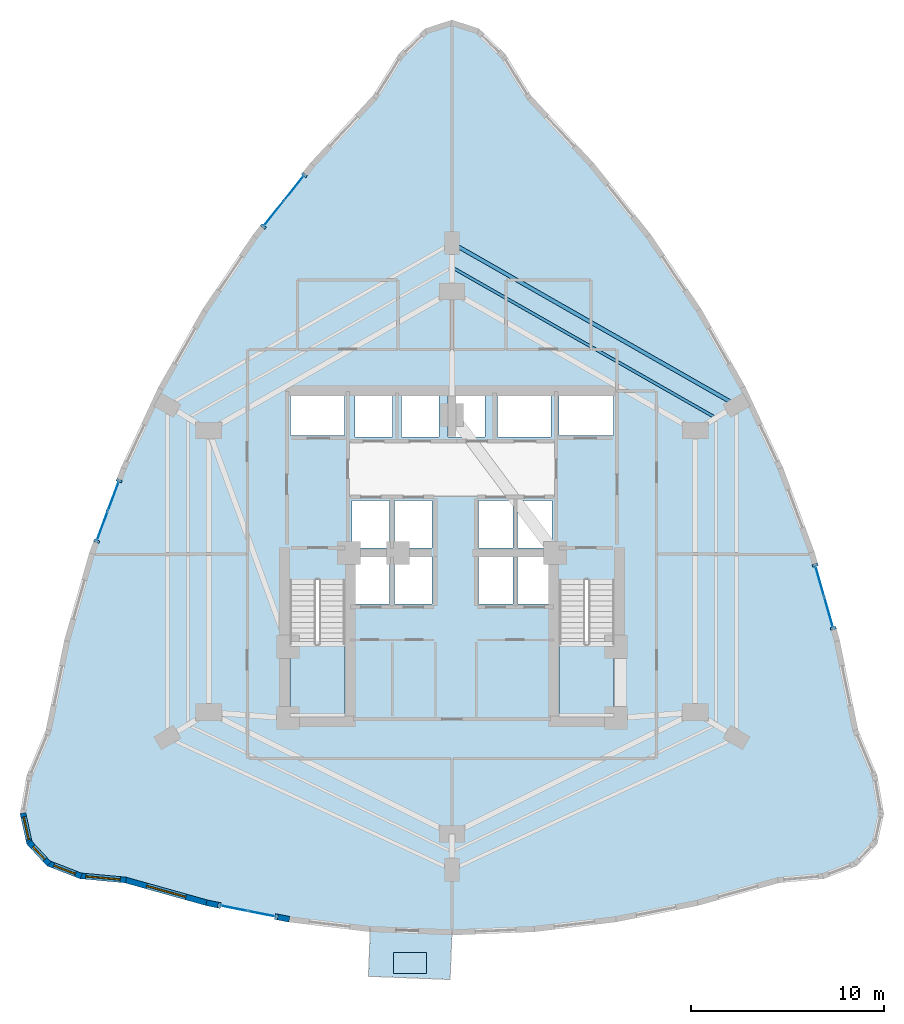
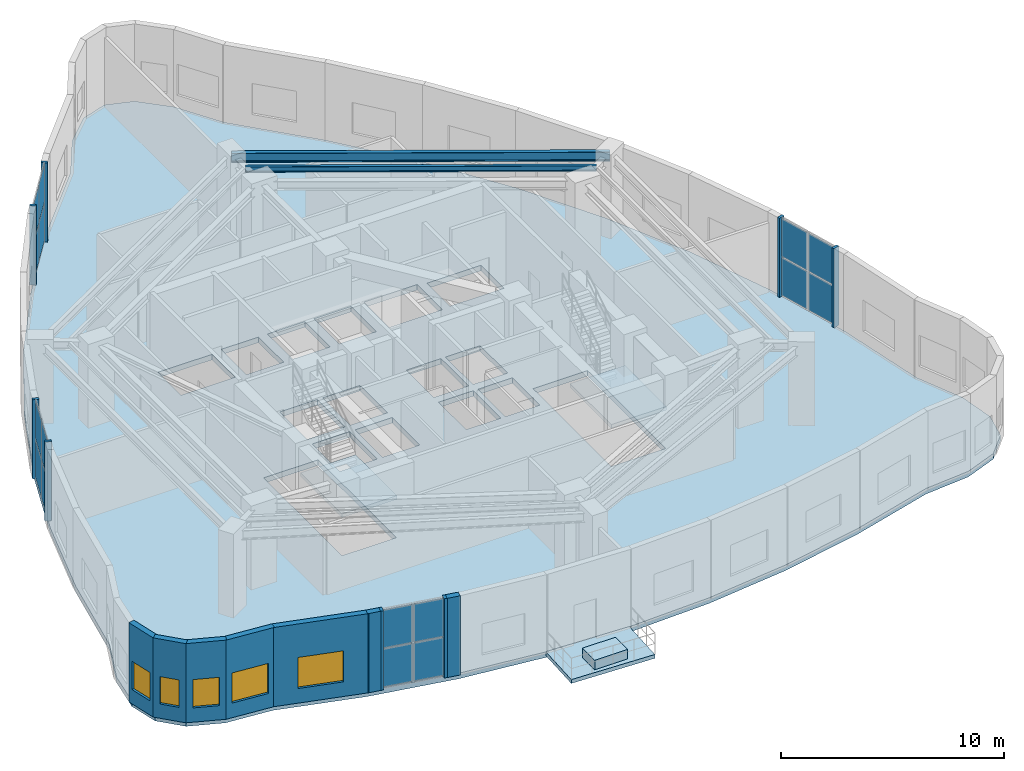
# One storey, part 12 of 17: 24 plates, 7 walls, 5 slabs, 5 windows, 2 beams, 5 openings, 6 elements without a shape of their own.
"""IFC4 building model written with IfcOpenShell, lengths in metres."""

from ifc_helpers import new_model, si_unit, direction, frame, frame_2d, origin, origin_2d, place, context, subcontext, project, spatial, polyline, rectangle, i_section, outline, extrude, material, layer, layer_set, material_profile, profile_set, type_object, element, fill, aggregate, save


model = new_model("IFC4")

# Units and contexts
model_context = context("Model", 3, precision=1e-05, world=origin(), true_north=direction((0.0, 1.0)))
body_context = subcontext(model_context, "Body", "Model", "MODEL_VIEW")
ifc_project = project(units=[si_unit("LENGTHUNIT", "METRE"), si_unit("AREAUNIT", "SQUARE_METRE"), si_unit("VOLUMEUNIT", "CUBIC_METRE"), si_unit("PLANEANGLEUNIT", "RADIAN"), si_unit("MASSUNIT", "GRAM", prefix="KILO")], contexts=[model_context])

# Site, building, storey
site_placement = place(None, origin())
site = spatial("IfcSite", under=ifc_project, at=site_placement, CompositionType="ELEMENT")
building_placement = place(site_placement, origin())
building = spatial("IfcBuilding", under=site, at=building_placement, Name="Miruveldt Soraemaru", CompositionType="ELEMENT")
storey_placement = place(building_placement, frame((0.0, 0.0, 95.800048828125)))
storey = spatial("IfcBuildingStorey", under=building, at=storey_placement, Name="L26", CompositionType="ELEMENT", Elevation=95.800048828125)

# Beams
ifc_material_1 = material(Name="Steel SM355 (355 MPa)", Category="steel")
ifc_material_profile_1 = material_profile(ifc_material_1, i_section(OverallWidth=0.14990234375, OverallDepth=0.300048828125, WebThickness=0.006591796875, FlangeThickness=0.009033203125, FilletRadius=0.012939453125, at=origin_2d()), Name="Steel SM355 (355 MPa)", Category="steel")
ifc_profile_set_1 = profile_set([ifc_material_profile_1], Name="Steel SM355 (355 MPa)")
beam_type_1 = type_object("IfcBeamType", Name="BM-ST-H300", PredefinedType="JOIST", material=ifc_profile_set_1)
beam_1_placement = place(storey_placement, frame((44.0, 58.85302734375, 4.18505859375), z_axis=(0.868539859756, -0.495619321672, 0.0), x_axis=(0.495619321672, 0.868539859756, 0.0)))
element("IfcBeam", 1, at=beam_1_placement, inside=storey, type_object=beam_type_1, Name="L26 Outer Bay Floor Joist 1", PredefinedType="JOIST", context=body_context, shape_type="SweptSolid", body=[
    extrude(i_section(OverallWidth=0.14990234375, OverallDepth=0.300048828125, WebThickness=0.006591796875, FlangeThickness=0.009033203125, FilletRadius=0.012939453125, at=origin_2d()), origin(), (0.0, 0.0, 1.0), 15.739013671875),
])
ifc_material_profile_2 = material_profile(ifc_material_1, i_section(OverallWidth=0.199951171875, OverallDepth=0.5, WebThickness=0.010009765625, FlangeThickness=0.01611328125, FilletRadius=0.02001953125, at=origin_2d()), Name="Steel SM355 (355 MPa)", Category="steel")
ifc_profile_set_2 = profile_set([ifc_material_profile_2], Name="Steel SM355 (355 MPa)")
beam_type_2 = type_object("IfcBeamType", Name="BM-ST-H500", PredefinedType="SPANDREL", material=ifc_profile_set_2)
beam_2_placement = place(storey_placement, frame((44.0, 60.10595703125, 4.0849609375), z_axis=(0.86880048516, -0.495162313778, 0.0), x_axis=(0.495162313778, 0.86880048516, 0.0)))
element("IfcBeam", 2, at=beam_2_placement, inside=storey, type_object=beam_type_2, Name="L26 Zone-2 Spandrel Beam 1", PredefinedType="SPANDREL", context=body_context, shape_type="SweptSolid", body=[
    extrude(i_section(OverallWidth=0.199951171875, OverallDepth=0.5, WebThickness=0.010009765625, FlangeThickness=0.01611328125, FilletRadius=0.02001953125, at=origin_2d()), origin(), (0.0, 0.0, 1.0), 16.9658203125),
])

# Curtain wall, plates
ifc_material_2 = material(Name="Anodised aluminium EN AW-6063 T6", Category="aluminium")
ifc_layer_1 = layer(ifc_material_2, 0.179931640625, Name="Anodised aluminium EN AW-6063 T6", Category="aluminium")
ifc_layer_set_1 = layer_set([ifc_layer_1], Name="Anodised aluminium EN AW-6063 T6")
curtain_wall_type = type_object("IfcCurtainWallType", Name="CW-SYS-4", PredefinedType="USERDEFINED", material=ifc_layer_set_1)
curtain_wall_1_placement = place(storey_placement, origin())
curtain_wall_1 = element("IfcCurtainWall", 3, at=curtain_wall_1_placement, inside=storey, type_object=curtain_wall_type, Name="L26 Curtain Wall Bay 8", ObjectType="UNITISED GLAZING", PredefinedType="USERDEFINED")
ifc_material_3 = material(Name="Triple low-e insulated glazing", Category="glass")
ifc_layer_2 = layer(ifc_material_3, 0.028076171875, Name="Triple low-e insulated glazing", Category="glass")
ifc_layer_set_2 = layer_set([ifc_layer_2], Name="Triple low-e insulated glazing")
plate_type_1 = type_object("IfcPlateType", Name="CWP-4", PredefinedType="CURTAIN_PANEL", material=ifc_layer_set_2)
plate_1_placement = place(storey_placement, frame((35.810546875, 62.95361328125, 0.06494140625), z_axis=(0.0, 0.0, 1.0), x_axis=(-0.62360597311, -0.781738824865, 0.0)))
plate_1 = element("IfcPlate", 4, at=plate_1_placement, type_object=plate_type_1, Name="CW-4 panel 1.1", PredefinedType="CURTAIN_PANEL", context=body_context, shape_type="SweptSolid", body=[
    extrude(rectangle(XDim=1.60546875, YDim=0.028076171875, at=origin_2d()), origin(), (0.0, 0.0, 1.0), 2.070068359375),
])
plate_2_placement = place(storey_placement, frame((35.810546875, 62.95361328125, 2.19970703125), z_axis=(0.0, 0.0, 1.0), x_axis=(-0.62360597311, -0.781738824865, 0.0)))
plate_2 = element("IfcPlate", 5, at=plate_2_placement, type_object=plate_type_1, Name="CW-4 panel 1.2", PredefinedType="CURTAIN_PANEL", context=body_context, shape_type="SweptSolid", body=[
    extrude(rectangle(XDim=1.60546875, YDim=0.028076171875, at=origin_2d()), origin(), (0.0, 0.0, 1.0), 2.070068359375),
])
plate_3_placement = place(storey_placement, frame((34.768798828125, 61.647705078125, 0.06494140625), z_axis=(0.0, 0.0, 1.0), x_axis=(-0.62360597311, -0.781738824865, 0.0)))
plate_3 = element("IfcPlate", 6, at=plate_3_placement, type_object=plate_type_1, Name="CW-4 panel 2.1", PredefinedType="CURTAIN_PANEL", context=body_context, shape_type="SweptSolid", body=[
    extrude(rectangle(XDim=1.60546875, YDim=0.028076171875, at=origin_2d()), origin(), (0.0, 0.0, 1.0), 2.070068359375),
])
plate_4_placement = place(storey_placement, frame((34.768798828125, 61.647705078125, 2.19970703125), z_axis=(0.0, 0.0, 1.0), x_axis=(-0.62360597311, -0.781738824865, 0.0)))
plate_4 = element("IfcPlate", 7, at=plate_4_placement, type_object=plate_type_1, Name="CW-4 panel 2.2", PredefinedType="CURTAIN_PANEL", context=body_context, shape_type="SweptSolid", body=[
    extrude(rectangle(XDim=1.60546875, YDim=0.028076171875, at=origin_2d()), origin(), (0.0, 0.0, 1.0), 2.070068359375),
])
aggregate(curtain_wall_1, [plate_1, plate_2, plate_3, plate_4])

curtain_wall_2_placement = place(storey_placement, origin())
curtain_wall_2 = element("IfcCurtainWall", 8, at=curtain_wall_2_placement, inside=storey, type_object=curtain_wall_type, Name="L26 Curtain Wall Bay 12", ObjectType="UNITISED GLAZING", PredefinedType="USERDEFINED")
plate_5_placement = place(storey_placement, frame((26.4619140625, 47.0009765625, 0.06494140625), z_axis=(0.0, 0.0, 1.0), x_axis=(-0.349011308919, -0.937118512381, 0.0)))
plate_5 = element("IfcPlate", 9, at=plate_5_placement, type_object=plate_type_1, Name="CW-4 panel 1.1", PredefinedType="CURTAIN_PANEL", context=body_context, shape_type="SweptSolid", body=[
    extrude(rectangle(XDim=1.576416015625, YDim=0.028076171875, at=origin_2d()), origin(), (0.0, 0.0, 1.0), 2.070068359375),
])
plate_6_placement = place(storey_placement, frame((26.4619140625, 47.0009765625, 2.19970703125), z_axis=(0.0, 0.0, 1.0), x_axis=(-0.349011308919, -0.937118512381, 0.0)))
plate_6 = element("IfcPlate", 10, at=plate_6_placement, type_object=plate_type_1, Name="CW-4 panel 1.2", PredefinedType="CURTAIN_PANEL", context=body_context, shape_type="SweptSolid", body=[
    extrude(rectangle(XDim=1.576416015625, YDim=0.028076171875, at=origin_2d()), origin(), (0.0, 0.0, 1.0), 2.070068359375),
])
plate_7_placement = place(storey_placement, frame((25.888916015625, 45.462646484375, 0.06494140625), z_axis=(0.0, 0.0, 1.0), x_axis=(-0.349011308919, -0.937118512381, 0.0)))
plate_7 = element("IfcPlate", 11, at=plate_7_placement, type_object=plate_type_1, Name="CW-4 panel 2.1", PredefinedType="CURTAIN_PANEL", context=body_context, shape_type="SweptSolid", body=[
    extrude(rectangle(XDim=1.576416015625, YDim=0.028076171875, at=origin_2d()), origin(), (0.0, 0.0, 1.0), 2.070068359375),
])
plate_8_placement = place(storey_placement, frame((25.888916015625, 45.462646484375, 2.19970703125), z_axis=(0.0, 0.0, 1.0), x_axis=(-0.349011308919, -0.937118512381, 0.0)))
plate_8 = element("IfcPlate", 12, at=plate_8_placement, type_object=plate_type_1, Name="CW-4 panel 2.2", PredefinedType="CURTAIN_PANEL", context=body_context, shape_type="SweptSolid", body=[
    extrude(rectangle(XDim=1.576416015625, YDim=0.028076171875, at=origin_2d()), origin(), (0.0, 0.0, 1.0), 2.070068359375),
])
aggregate(curtain_wall_2, [plate_5, plate_6, plate_7, plate_8])

curtain_wall_3_placement = place(storey_placement, origin())
curtain_wall_3 = element("IfcCurtainWall", 13, at=curtain_wall_3_placement, inside=storey, type_object=curtain_wall_type, Name="L26 Curtain Wall Bay 22", ObjectType="UNITISED GLAZING", PredefinedType="USERDEFINED")
plate_9_placement = place(storey_placement, frame((32.705322265625, 25.652099609375, 0.06494140625), z_axis=(0.0, 0.0, 1.0), x_axis=(0.980580675691, -0.196116135138, 0.0)))
plate_9 = element("IfcPlate", 14, at=plate_9_placement, type_object=plate_type_1, Name="CW-4 panel 1.1", PredefinedType="CURTAIN_PANEL", context=body_context, shape_type="SweptSolid", body=[
    extrude(rectangle(XDim=1.408935546875, YDim=0.028076171875, at=origin_2d()), origin(), (0.0, 0.0, 1.0), 2.070068359375),
])
plate_10_placement = place(storey_placement, frame((32.705322265625, 25.652099609375, 2.19970703125), z_axis=(0.0, 0.0, 1.0), x_axis=(0.980580675691, -0.196116135138, 0.0)))
plate_10 = element("IfcPlate", 15, at=plate_10_placement, type_object=plate_type_1, Name="CW-4 panel 1.2", PredefinedType="CURTAIN_PANEL", context=body_context, shape_type="SweptSolid", body=[
    extrude(rectangle(XDim=1.408935546875, YDim=0.028076171875, at=origin_2d()), origin(), (0.0, 0.0, 1.0), 2.070068359375),
])
plate_11_placement = place(storey_placement, frame((34.150634765625, 25.363037109375, 0.06494140625), z_axis=(0.0, 0.0, 1.0), x_axis=(0.980580675691, -0.196116135138, 0.0)))
plate_11 = element("IfcPlate", 16, at=plate_11_placement, type_object=plate_type_1, Name="CW-4 panel 2.1", PredefinedType="CURTAIN_PANEL", context=body_context, shape_type="SweptSolid", body=[
    extrude(rectangle(XDim=1.408935546875, YDim=0.028076171875, at=origin_2d()), origin(), (0.0, 0.0, 1.0), 2.070068359375),
])
plate_12_placement = place(storey_placement, frame((34.150634765625, 25.363037109375, 2.19970703125), z_axis=(0.0, 0.0, 1.0), x_axis=(0.980580675691, -0.196116135138, 0.0)))
plate_12 = element("IfcPlate", 17, at=plate_12_placement, type_object=plate_type_1, Name="CW-4 panel 2.2", PredefinedType="CURTAIN_PANEL", context=body_context, shape_type="SweptSolid", body=[
    extrude(rectangle(XDim=1.408935546875, YDim=0.028076171875, at=origin_2d()), origin(), (0.0, 0.0, 1.0), 2.070068359375),
])
aggregate(curtain_wall_3, [plate_9, plate_10, plate_11, plate_12])

curtain_wall_4_placement = place(storey_placement, origin())
curtain_wall_4 = element("IfcCurtainWall", 18, at=curtain_wall_4_placement, inside=storey, type_object=curtain_wall_type, Name="L26 Curtain Wall Bay 36", ObjectType="UNITISED GLAZING", PredefinedType="USERDEFINED")
plate_13_placement = place(storey_placement, frame((63.512451171875, 40.988525390625, 0.06494140625), z_axis=(0.0, 0.0, 1.0), x_axis=(-0.274984802694, 0.961448572877, 0.0)))
plate_13 = element("IfcPlate", 19, at=plate_13_placement, type_object=plate_type_1, Name="CW-4 panel 1.1", PredefinedType="CURTAIN_PANEL", context=body_context, shape_type="SweptSolid", body=[
    extrude(rectangle(XDim=1.60546875, YDim=0.028076171875, at=origin_2d()), origin(), (0.0, 0.0, 1.0), 2.070068359375),
])
plate_14_placement = place(storey_placement, frame((63.512451171875, 40.988525390625, 2.19970703125), z_axis=(0.0, 0.0, 1.0), x_axis=(-0.274984802694, 0.961448572877, 0.0)))
plate_14 = element("IfcPlate", 20, at=plate_14_placement, type_object=plate_type_1, Name="CW-4 panel 1.2", PredefinedType="CURTAIN_PANEL", context=body_context, shape_type="SweptSolid", body=[
    extrude(rectangle(XDim=1.60546875, YDim=0.028076171875, at=origin_2d()), origin(), (0.0, 0.0, 1.0), 2.070068359375),
])
plate_15_placement = place(storey_placement, frame((63.052978515625, 42.5947265625, 0.06494140625), z_axis=(0.0, 0.0, 1.0), x_axis=(-0.274984802694, 0.961448572877, 0.0)))
plate_15 = element("IfcPlate", 21, at=plate_15_placement, type_object=plate_type_1, Name="CW-4 panel 2.1", PredefinedType="CURTAIN_PANEL", context=body_context, shape_type="SweptSolid", body=[
    extrude(rectangle(XDim=1.60546875, YDim=0.028076171875, at=origin_2d()), origin(), (0.0, 0.0, 1.0), 2.070068359375),
])
plate_16_placement = place(storey_placement, frame((63.052978515625, 42.5947265625, 2.19970703125), z_axis=(0.0, 0.0, 1.0), x_axis=(-0.274984802694, 0.961448572877, 0.0)))
plate_16 = element("IfcPlate", 22, at=plate_16_placement, type_object=plate_type_1, Name="CW-4 panel 2.2", PredefinedType="CURTAIN_PANEL", context=body_context, shape_type="SweptSolid", body=[
    extrude(rectangle(XDim=1.60546875, YDim=0.028076171875, at=origin_2d()), origin(), (0.0, 0.0, 1.0), 2.070068359375),
])
aggregate(curtain_wall_4, [plate_13, plate_14, plate_15, plate_16])

# Plates
ifc_layer_3 = layer(ifc_material_2, 0.030029296875, Name="Anodised aluminium EN AW-6063 T6", Category="aluminium")
ifc_layer_set_3 = layer_set([ifc_layer_3], Name="Anodised aluminium EN AW-6063 T6")
plate_type_2 = type_object("IfcPlateType", Name="PLT-JAMB-30", PredefinedType="SHEET", material=ifc_layer_set_3)
for number, where, z_axis, x_axis, name in (
    (23, (36.3515625, 63.632080078125, 0.0), (0.0, 0.0, 1.0), (-0.623606756598, -0.781738199863, 0.0), "L26 Curtain Wall Jamb Closure Trim 8JL"),
    (24, (34.2275390625, 60.969482421875, 0.0), (0.0, 0.0, 1.0), (-0.623606756598, -0.781738199863, 0.0), "L26 Curtain Wall Jamb Closure Trim 8JR"),
    (25, (26.759765625, 47.800537109375, 0.0), (0.0, 0.0, 1.0), (-0.349030048069, -0.93711153314, 0.0), "L26 Curtain Wall Jamb Closure Trim 12JL"),
    (26, (25.59130859375, 44.6630859375, 0.0), (0.0, 0.0, 1.0), (-0.349030048069, -0.93711153314, 0.0), "L26 Curtain Wall Jamb Closure Trim 12JR"),
    (27, (31.95068359375, 25.802978515625, 0.0), (0.0, 0.0, 1.0), (0.980580444557, -0.196117290802, 0.0), "L26 Curtain Wall Jamb Closure Trim 22JL"),
    (28, (34.9052734375, 25.212158203125, 0.0), (0.0, 0.0, 1.0), (0.980580444557, -0.196117290802, 0.0), "L26 Curtain Wall Jamb Closure Trim 22JR"),
    (29, (63.7509765625, 40.154296875, 0.0), (0.0, 0.0, 1.0), (-0.274982981932, 0.961449093633, 0.0), "L26 Curtain Wall Jamb Closure Trim 36JL"),
    (30, (62.814453125, 43.428955078125, 0.0), (0.0, 0.0, 1.0), (-0.274982981932, 0.961449093633, 0.0), "L26 Curtain Wall Jamb Closure Trim 36JR"),
):
    element("IfcPlate", number, at=place(storey_placement, frame(where, z_axis=z_axis, x_axis=x_axis)), inside=storey, type_object=plate_type_2, Name=name, PredefinedType="SHEET", context=body_context, shape_type="SweptSolid", body=[
        extrude(rectangle(XDim=0.139892578125, YDim=0.300048828125, at=origin_2d()), origin(), (0.0, 0.0, 1.0), 4.3349609375),
    ])

# Stair, slab
ifc_material_4 = material(Name="Concrete C40/50 (40 MPa)", Category="concrete")
stair_type = type_object("IfcStairType", Name="STAIR-DL-460", PredefinedType="HALF_TURN_STAIR", material=ifc_material_4)
stair_1_placement = place(storey_placement, origin())
stair_1 = element("IfcStair", 31, at=stair_1_placement, inside=storey, type_object=stair_type, Name="L26 Protected Exit Stair ST-1", PredefinedType="HALF_TURN_STAIR")
ifc_layer_4 = layer(ifc_material_4, 0.199951171875, Name="Concrete C40/50 (40 MPa)", Category="concrete")
ifc_layer_set_4 = layer_set([ifc_layer_4], Name="Concrete C40/50 (40 MPa)")
slab_type_1 = type_object("IfcSlabType", Name="SLAB-LAND-200", PredefinedType="LANDING", material=ifc_layer_set_4)
slab_1_placement = place(storey_placement, frame((0.0, 0.0, 2.099853515625)))
slab_1 = element("IfcSlab", 32, at=slab_1_placement, type_object=slab_type_1, Name="ST-1 landing 1", PredefinedType="LANDING", context=body_context, shape_type="SweptSolid", body=[
    extrude(outline(polyline([(35.60009765625, 39.35791015625), (35.60009765625, 35.64990234375), (38.449951171875, 35.64990234375), (38.449951171875, 39.35791015625), (35.60009765625, 39.35791015625)])), origin(), (0.0, 0.0, 1.0), 0.2001953125),
])
aggregate(stair_1, [slab_1])

stair_2_placement = place(storey_placement, origin())
stair_2 = element("IfcStair", 33, at=stair_2_placement, inside=storey, type_object=stair_type, Name="L26 Protected Exit Stair ST-2", PredefinedType="HALF_TURN_STAIR")
slab_2_placement = place(storey_placement, frame((0.0, 0.0, 2.099853515625)))
slab_2 = element("IfcSlab", 34, at=slab_2_placement, type_object=slab_type_1, Name="ST-2 landing 1", PredefinedType="LANDING", context=body_context, shape_type="SweptSolid", body=[
    extrude(outline(polyline([(49.550048828125, 39.35791015625), (49.550048828125, 35.64990234375), (52.39990234375, 35.64990234375), (52.39990234375, 39.35791015625), (49.550048828125, 39.35791015625)])), origin(), (0.0, 0.0, 1.0), 0.2001953125),
])
aggregate(stair_2, [slab_2])

# Slabs
ifc_material_5 = material(Name="Precast concrete C45/55 (45 MPa)", Category="concrete")
ifc_layer_5 = layer(ifc_material_5, 0.179931640625, Name="Precast concrete C45/55 (45 MPa)", Category="concrete")
ifc_layer_set_5 = layer_set([ifc_layer_5], Name="Precast concrete C45/55 (45 MPa)")
slab_type_2 = type_object("IfcSlabType", Name="SLAB-PLTR-180", PredefinedType="USERDEFINED", material=ifc_layer_set_5)
slab_3_placement = place(storey_placement, origin())
element("IfcSlab", 35, at=slab_3_placement, inside=storey, type_object=slab_type_2, Name="L26 Sky Garden PLANTER Bed", ObjectType="PLANTER", PredefinedType="USERDEFINED", context=body_context, shape_type="SweptSolid", body=[
    extrude(outline(polyline([(40.968994140625, 22.26904296875), (42.6689453125, 22.26904296875), (42.6689453125, 23.368896484375), (40.968994140625, 23.368896484375), (40.968994140625, 22.26904296875)])), origin(), (0.0, 0.0, 1.0), 0.52001953125),
])
ifc_layer_6 = layer(ifc_material_4, 0.300048828125, Name="Concrete C40/50 (40 MPa)", Category="concrete")
ifc_layer_set_6 = layer_set([ifc_layer_6], Name="Concrete C40/50 (40 MPa)")
slab_type_3 = type_object("IfcSlabType", Name="SLAB-PODM-300", PredefinedType="FLOOR", material=ifc_layer_set_6)
slab_4_placement = place(storey_placement, frame((0.0, 0.0, -0.300048828125)))
element("IfcSlab", 36, at=slab_4_placement, inside=storey, type_object=slab_type_3, Name="L26 Structural Floor Slab", PredefinedType="FLOOR", context=body_context, shape_type="SweptSolid", body=[
    extrude(outline(polyline([(51.2431640625, 64.14013671875), (54.177734375, 60.461181640625), (56.784423828125, 56.61328125), (59.06298828125, 52.595947265625), (61.013427734375, 48.40966796875), (62.635498046875, 44.05419921875), (63.9296875, 39.529296875), (64.8955078125, 34.835693359375), (65.890625, 32.476318359375), (66.222412109375, 30.546142578125), (65.890625, 29.044921875), (64.8955078125, 27.972412109375), (63.2373046875, 27.3291015625), (60.91552734375, 27.114501953125), (56.6865234375, 25.930419921875), (52.457763671875, 25.084716796875), (48.22900390625, 24.5771484375), (44.0, 24.408203125), (39.77099609375, 24.5771484375), (35.542236328125, 25.084716796875), (31.3134765625, 25.930419921875), (27.08447265625, 27.114501953125), (24.7626953125, 27.3291015625), (23.1044921875, 27.972412109375), (22.109375, 29.044921875), (21.777587890625, 30.546142578125), (22.109375, 32.476318359375), (23.1044921875, 34.835693359375), (24.0703125, 39.529296875), (25.364501953125, 44.05419921875), (26.986572265625, 48.40966796875), (28.93701171875, 52.595947265625), (31.215576171875, 56.61328125), (33.822265625, 60.461181640625), (36.7568359375, 64.14013671875), (40.02001953125, 67.64990234375), (41.3466796875, 69.794677734375), (42.67333984375, 71.081298828125), (44.0, 71.510498046875), (45.32666015625, 71.081298828125), (46.6533203125, 69.794677734375), (47.97998046875, 67.64990234375), (51.2431640625, 64.14013671875)]), holes=[polyline([(35.614990234375, 42.68505859375), (35.614990234375, 35.6650390625), (38.43505859375, 35.6650390625), (38.43505859375, 42.68505859375), (35.614990234375, 42.68505859375)]), polyline([(38.81494140625, 41.4150390625), (40.764892578125, 41.4150390625), (40.764892578125, 43.885009765625), (38.81494140625, 43.885009765625), (38.81494140625, 41.4150390625)]), polyline([(41.034912109375, 41.4150390625), (42.965087890625, 41.4150390625), (42.965087890625, 43.885009765625), (41.034912109375, 43.885009765625), (41.034912109375, 41.4150390625)]), polyline([(38.81494140625, 44.31494140625), (40.764892578125, 44.31494140625), (40.764892578125, 46.784912109375), (38.81494140625, 46.784912109375), (38.81494140625, 44.31494140625)]), polyline([(41.034912109375, 44.31494140625), (42.965087890625, 44.31494140625), (42.965087890625, 46.784912109375), (41.034912109375, 46.784912109375), (41.034912109375, 44.31494140625)]), polyline([(35.635009765625, 50.135009765625), (38.445068359375, 50.135009765625), (38.445068359375, 52.205078125), (35.635009765625, 52.205078125), (35.635009765625, 50.135009765625)]), polyline([(38.985107421875, 50.06494140625), (40.9150390625, 50.06494140625), (40.9150390625, 52.3349609375), (38.985107421875, 52.3349609375), (38.985107421875, 50.06494140625)]), polyline([(41.385009765625, 50.06494140625), (43.31494140625, 50.06494140625), (43.31494140625, 52.3349609375), (41.385009765625, 52.3349609375), (41.385009765625, 50.06494140625)]), polyline([(49.56494140625, 42.68505859375), (49.56494140625, 35.6650390625), (52.385009765625, 35.6650390625), (52.385009765625, 42.68505859375), (49.56494140625, 42.68505859375)]), polyline([(45.364990234375, 41.4150390625), (47.1650390625, 41.4150390625), (47.1650390625, 43.885009765625), (45.364990234375, 43.885009765625), (45.364990234375, 41.4150390625)]), polyline([(47.39501953125, 41.4150390625), (49.18505859375, 41.4150390625), (49.18505859375, 43.885009765625), (47.39501953125, 43.885009765625), (47.39501953125, 41.4150390625)]), polyline([(45.364990234375, 44.31494140625), (47.1650390625, 44.31494140625), (47.1650390625, 46.784912109375), (45.364990234375, 46.784912109375), (45.364990234375, 44.31494140625)]), polyline([(47.39501953125, 44.31494140625), (49.18505859375, 44.31494140625), (49.18505859375, 46.784912109375), (47.39501953125, 46.784912109375), (47.39501953125, 44.31494140625)]), polyline([(49.554931640625, 50.135009765625), (52.364990234375, 50.135009765625), (52.364990234375, 52.205078125), (49.554931640625, 52.205078125), (49.554931640625, 50.135009765625)]), polyline([(43.784912109375, 50.06494140625), (45.715087890625, 50.06494140625), (45.715087890625, 52.3349609375), (43.784912109375, 52.3349609375), (43.784912109375, 50.06494140625)]), polyline([(46.364990234375, 50.06494140625), (49.135009765625, 50.06494140625), (49.135009765625, 52.3349609375), (46.364990234375, 52.3349609375), (46.364990234375, 50.06494140625)])]), origin(), (0.0, 0.0, 1.0), 0.300048828125),
])
ifc_layer_7 = layer(ifc_material_4, 0.2099609375, Name="Concrete C40/50 (40 MPa)", Category="concrete")
ifc_layer_set_7 = layer_set([ifc_layer_7], Name="Concrete C40/50 (40 MPa)")
slab_type_4 = type_object("IfcSlabType", Name="SLAB-TERR-210", PredefinedType="ROOF", material=ifc_layer_set_7)
slab_5_placement = place(storey_placement, frame((0.0, 0.0, -0.2099609375)))
element("IfcSlab", 37, at=slab_5_placement, inside=storey, type_object=slab_type_4, Name="L26 Sky Garden Terrace Deck", PredefinedType="ROOF", context=body_context, shape_type="SweptSolid", body=[
    extrude(outline(polyline([(39.77197265625, 24.59716796875), (44.000732421875, 24.427978515625), (43.902099609375, 21.960205078125), (39.673095703125, 22.129150390625), (39.77197265625, 24.59716796875)])), origin(), (0.0, 0.0, 1.0), 0.2099609375),
])

# Wall, opening, window
ifc_layer_8 = layer(ifc_material_5, 0.300048828125, Name="Precast concrete C45/55 (45 MPa)", Category="concrete")
ifc_layer_set_8 = layer_set([ifc_layer_8], Name="Precast concrete C45/55 (45 MPa)")
wall_type = type_object("IfcWallType", Name="WALL-EXT-PC300", PredefinedType="SOLIDWALL", material=ifc_layer_set_8)
wall_1_placement = place(storey_placement, frame((21.77001953125, 30.580322265625, 0.0), z_axis=(0.0, 0.0, 1.0), x_axis=(0.215788702649, -0.976440083062, 0.0)))
wall_1 = element("IfcWall", 38, at=wall_1_placement, inside=storey, type_object=wall_type, Name="L26 Precast Concrete Facade Wall 17", PredefinedType="SOLIDWALL", context=body_context, shape_type="SweptSolid", body=[
    extrude(rectangle(XDim=1.607666015625, YDim=0.300048828125, at=frame_2d((0.8037109375, 0.0))), origin(), (0.0, 0.0, 1.0), 4.3349609375),
])
opening_1_placement = place(wall_1_placement, frame((0.2041015625, 0.0, 0.780029296875)))
opening_1 = element("IfcOpeningElement", 39, at=opening_1_placement, cuts=wall_1, Name="Opening WN-4", PredefinedType="OPENING", context=body_context, shape_type="SweptSolid", body=[
    extrude(rectangle(XDim=1.199951171875, YDim=1.550048828125, at=frame_2d((0.60009765625, 0.77490234375))), frame((0.0, 0.16015625, 0.0), z_axis=(0.0, -1.0, 0.0), x_axis=(1.0, 0.0, 0.0)), (0.0, 0.0, 1.0), 0.320068359375),
])
window_type_1 = type_object("IfcWindowType", Name="WIN-PUNCH-1200x1550", PartitioningType="SINGLE_PANEL", PredefinedType="WINDOW", material=ifc_material_3)
window_1_placement = place(opening_1_placement, origin())
window_1 = element("IfcWindow", 40, at=window_1_placement, inside=storey, type_object=window_type_1, Name="L26 Punched Triple-Glazed Window 17.1", OverallHeight=1.550048828125, OverallWidth=1.199951171875, PartitioningType="SINGLE_PANEL", PredefinedType="WINDOW", context=body_context, shape_type="SweptSolid", body=[
    extrude(rectangle(XDim=1.199951171875, YDim=1.550048828125, at=frame_2d((0.60009765625, 0.77490234375))), frame((0.0, 0.030029296875, 0.0), z_axis=(0.0, -1.0, 0.0), x_axis=(1.0, 0.0, 0.0)), (0.0, 0.0, 1.0), 0.06005859375),
])
fill(opening_1, window_1)

wall_2_placement = place(storey_placement, frame((22.085693359375, 29.070556640625, 0.0), z_axis=(0.0, 0.0, 1.0), x_axis=(0.680090582793, -0.733128091943, 0.0)))
wall_2 = element("IfcWall", 41, at=wall_2_placement, inside=storey, type_object=wall_type, Name="L26 Precast Concrete Facade Wall 18", PredefinedType="SOLIDWALL", context=body_context, shape_type="SweptSolid", body=[
    extrude(rectangle(XDim=1.532958984375, YDim=0.300048828125, at=frame_2d((0.7666015625, 0.0))), origin(), (0.0, 0.0, 1.0), 4.3349609375),
])
opening_2_placement = place(wall_2_placement, frame((0.31591796875, 0.0, 0.780029296875)))
opening_2 = element("IfcOpeningElement", 42, at=opening_2_placement, cuts=wall_2, Name="Opening WN-7", PredefinedType="OPENING", context=body_context, shape_type="SweptSolid", body=[
    extrude(rectangle(XDim=0.89990234375, YDim=1.5, at=frame_2d((0.449951171875, 0.75))), frame((0.0, 0.16015625, 0.0), z_axis=(0.0, -1.0, 0.0), x_axis=(1.0, 0.0, 0.0)), (0.0, 0.0, 1.0), 0.320068359375),
])
window_type_2 = type_object("IfcWindowType", Name="WIN-PUNCH-900x1500", PartitioningType="SINGLE_PANEL", PredefinedType="WINDOW", material=ifc_material_3)
window_2_placement = place(opening_2_placement, origin())
window_2 = element("IfcWindow", 43, at=window_2_placement, inside=storey, type_object=window_type_2, Name="L26 Punched Triple-Glazed Window 18.1", OverallHeight=1.5, OverallWidth=0.89990234375, PartitioningType="SINGLE_PANEL", PredefinedType="WINDOW", context=body_context, shape_type="SweptSolid", body=[
    extrude(rectangle(XDim=0.89990234375, YDim=1.5, at=frame_2d((0.449951171875, 0.75))), frame((0.0, 0.030029296875, 0.0), z_axis=(0.0, -1.0, 0.0), x_axis=(1.0, 0.0, 0.0)), (0.0, 0.0, 1.0), 0.06005859375),
])
fill(opening_2, window_2)

wall_3_placement = place(storey_placement, frame((23.07177734375, 27.985107421875, 0.0), z_axis=(0.0, 0.0, 1.0), x_axis=(0.932296797373, -0.361694182437, 0.0)))
wall_3 = element("IfcWall", 44, at=wall_3_placement, inside=storey, type_object=wall_type, Name="L26 Precast Concrete Facade Wall 19", PredefinedType="SOLIDWALL", context=body_context, shape_type="SweptSolid", body=[
    extrude(rectangle(XDim=1.848876953125, YDim=0.300048828125, at=frame_2d((0.92431640625, 0.0))), origin(), (0.0, 0.0, 1.0), 4.3349609375),
])
opening_3_placement = place(wall_3_placement, frame((0.324951171875, 0.0, 0.780029296875)))
opening_3 = element("IfcOpeningElement", 45, at=opening_3_placement, cuts=wall_3, Name="Opening WN-4", PredefinedType="OPENING", context=body_context, shape_type="SweptSolid", body=[
    extrude(rectangle(XDim=1.199951171875, YDim=1.550048828125, at=frame_2d((0.60009765625, 0.77490234375))), frame((0.0, 0.16015625, 0.0), z_axis=(0.0, -1.0, 0.0), x_axis=(1.0, 0.0, 0.0)), (0.0, 0.0, 1.0), 0.320068359375),
])
window_3_placement = place(opening_3_placement, origin())
window_3 = element("IfcWindow", 46, at=window_3_placement, inside=storey, type_object=window_type_1, Name="L26 Punched Triple-Glazed Window 19.1", OverallHeight=1.550048828125, OverallWidth=1.199951171875, PartitioningType="SINGLE_PANEL", PredefinedType="WINDOW", context=body_context, shape_type="SweptSolid", body=[
    extrude(rectangle(XDim=1.199951171875, YDim=1.550048828125, at=frame_2d((0.60009765625, 0.77490234375))), frame((0.0, 0.030029296875, 0.0), z_axis=(0.0, -1.0, 0.0), x_axis=(1.0, 0.0, 0.0)), (0.0, 0.0, 1.0), 0.06005859375),
])
fill(opening_3, window_3)

wall_4_placement = place(storey_placement, frame((24.727783203125, 27.332275390625, 0.0), z_axis=(0.0, 0.0, 1.0), x_axis=(0.99575966251, -0.091992904713, 0.0)))
wall_4 = element("IfcWall", 47, at=wall_4_placement, inside=storey, type_object=wall_type, Name="L26 Precast Concrete Facade Wall 20", PredefinedType="SOLIDWALL", context=body_context, shape_type="SweptSolid", body=[
    extrude(rectangle(XDim=2.40185546875, YDim=0.300048828125, at=frame_2d((1.200927734375, 0.0))), origin(), (0.0, 0.0, 1.0), 4.3349609375),
])
opening_4_placement = place(wall_4_placement, frame((0.301025390625, 0.0, 0.800048828125)))
opening_4 = element("IfcOpeningElement", 48, at=opening_4_placement, cuts=wall_4, Name="Opening WN-2", PredefinedType="OPENING", context=body_context, shape_type="SweptSolid", body=[
    extrude(rectangle(XDim=1.800048828125, YDim=1.64990234375, at=frame_2d((0.89990234375, 0.824951171875))), frame((0.0, 0.16015625, 0.0), z_axis=(0.0, -1.0, 0.0), x_axis=(1.0, 0.0, 0.0)), (0.0, 0.0, 1.0), 0.320068359375),
])
window_type_3 = type_object("IfcWindowType", Name="WIN-PUNCH-1800x1650", PartitioningType="SINGLE_PANEL", PredefinedType="WINDOW", material=ifc_material_3)
window_4_placement = place(opening_4_placement, origin())
window_4 = element("IfcWindow", 49, at=window_4_placement, inside=storey, type_object=window_type_3, Name="L26 Punched Triple-Glazed Window 20.1", OverallHeight=1.64990234375, OverallWidth=1.800048828125, PartitioningType="SINGLE_PANEL", PredefinedType="WINDOW", context=body_context, shape_type="SweptSolid", body=[
    extrude(rectangle(XDim=1.800048828125, YDim=1.64990234375, at=frame_2d((0.89990234375, 0.824951171875))), frame((0.0, 0.030029296875, 0.0), z_axis=(0.0, -1.0, 0.0), x_axis=(1.0, 0.0, 0.0)), (0.0, 0.0, 1.0), 0.06005859375),
])
fill(opening_4, window_4)

wall_5_placement = place(storey_placement, frame((27.05078125, 27.1240234375, 0.0), z_axis=(0.0, 0.0, 1.0), x_axis=(0.9629702709, -0.269607598859, 0.0)))
wall_5 = element("IfcWall", 50, at=wall_5_placement, inside=storey, type_object=wall_type, Name="L26 Precast Concrete Facade Wall 21", PredefinedType="SOLIDWALL", context=body_context, shape_type="SweptSolid", body=[
    extrude(rectangle(XDim=4.461669921875, YDim=0.300048828125, at=frame_2d((2.23095703125, 0.0))), origin(), (0.0, 0.0, 1.0), 4.3349609375),
])
opening_5_placement = place(wall_5_placement, frame((1.180908203125, 0.0, 0.800048828125)))
opening_5 = element("IfcOpeningElement", 51, at=opening_5_placement, cuts=wall_5, Name="Opening WN-1", PredefinedType="OPENING", context=body_context, shape_type="SweptSolid", body=[
    extrude(rectangle(XDim=2.10009765625, YDim=1.699951171875, at=frame_2d((1.050048828125, 0.85009765625))), frame((0.0, 0.16015625, 0.0), z_axis=(0.0, -1.0, 0.0), x_axis=(1.0, 0.0, 0.0)), (0.0, 0.0, 1.0), 0.320068359375),
])
window_type_4 = type_object("IfcWindowType", Name="WIN-PUNCH-2100x1700", PartitioningType="SINGLE_PANEL", PredefinedType="WINDOW", material=ifc_material_3)
window_5_placement = place(opening_5_placement, origin())
window_5 = element("IfcWindow", 52, at=window_5_placement, inside=storey, type_object=window_type_4, Name="L26 Punched Triple-Glazed Window 21.1", OverallHeight=1.699951171875, OverallWidth=2.10009765625, PartitioningType="SINGLE_PANEL", PredefinedType="WINDOW", context=body_context, shape_type="SweptSolid", body=[
    extrude(rectangle(XDim=2.10009765625, YDim=1.699951171875, at=frame_2d((1.050048828125, 0.85009765625))), frame((0.0, 0.030029296875, 0.0), z_axis=(0.0, -1.0, 0.0), x_axis=(1.0, 0.0, 0.0)), (0.0, 0.0, 1.0), 0.06005859375),
])
fill(opening_5, window_5)

# Walls
wall_6_placement = place(storey_placement, frame((31.279052734375, 25.9375, 0.0), z_axis=(0.0, 0.0, 1.0), x_axis=(0.980540705023, -0.196315882679, 0.0)))
element("IfcWall", 53, at=wall_6_placement, inside=storey, type_object=wall_type, Name="L26 Precast Pier Left 22", PredefinedType="SOLIDWALL", context=body_context, shape_type="SweptSolid", body=[
    extrude(rectangle(XDim=0.705078125, YDim=0.300048828125, at=frame_2d((0.3525390625, 0.0))), origin(), (0.0, 0.0, 1.0), 4.3349609375),
])
wall_7_placement = place(storey_placement, frame((34.8857421875, 25.216064453125, 0.0), z_axis=(0.0, 0.0, 1.0), x_axis=(0.980580675691, -0.196116135138, 0.0)))
element("IfcWall", 54, at=wall_7_placement, inside=storey, type_object=wall_type, Name="L26 Precast Pier Right 22", PredefinedType="SOLIDWALL", context=body_context, shape_type="SweptSolid", body=[
    extrude(rectangle(XDim=0.70458984375, YDim=0.300048828125, at=frame_2d((0.352294921875, 0.0))), origin(), (0.0, 0.0, 1.0), 4.3349609375),
])

save(model, "model.ifc")
